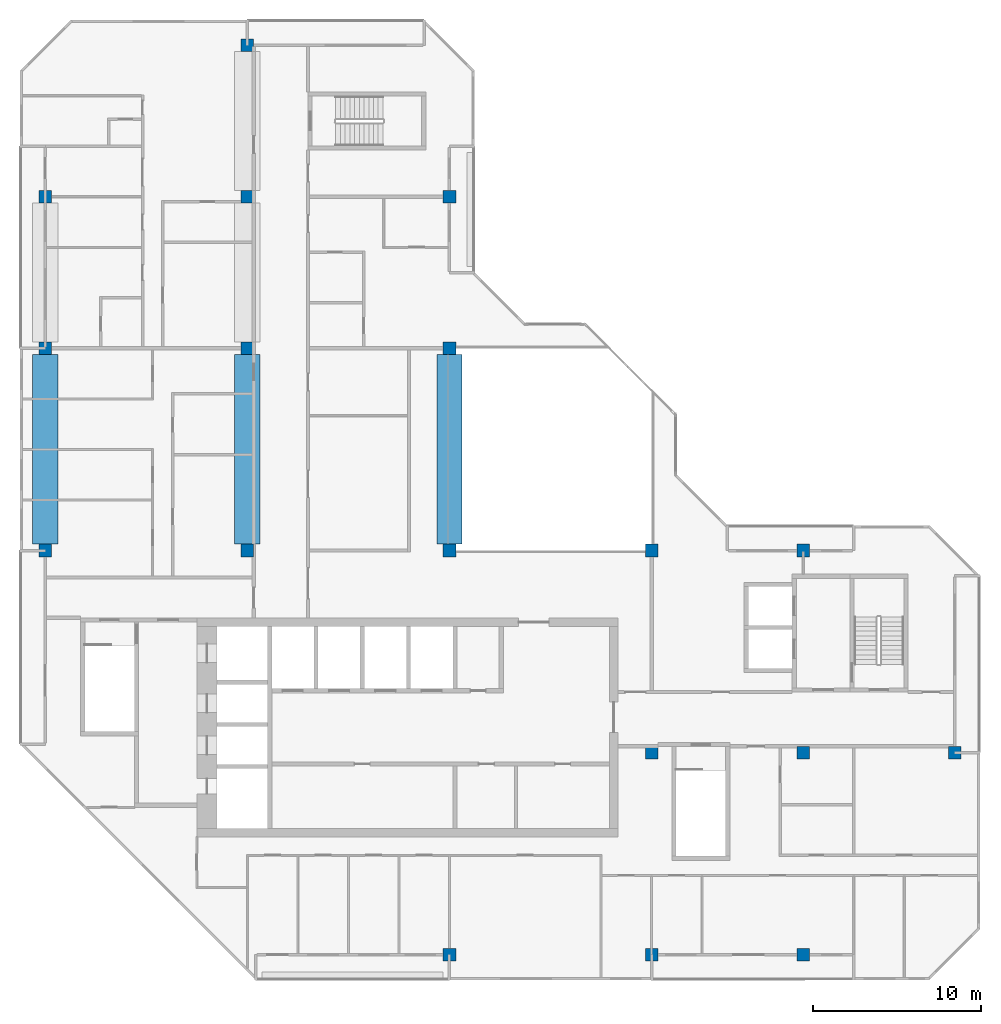
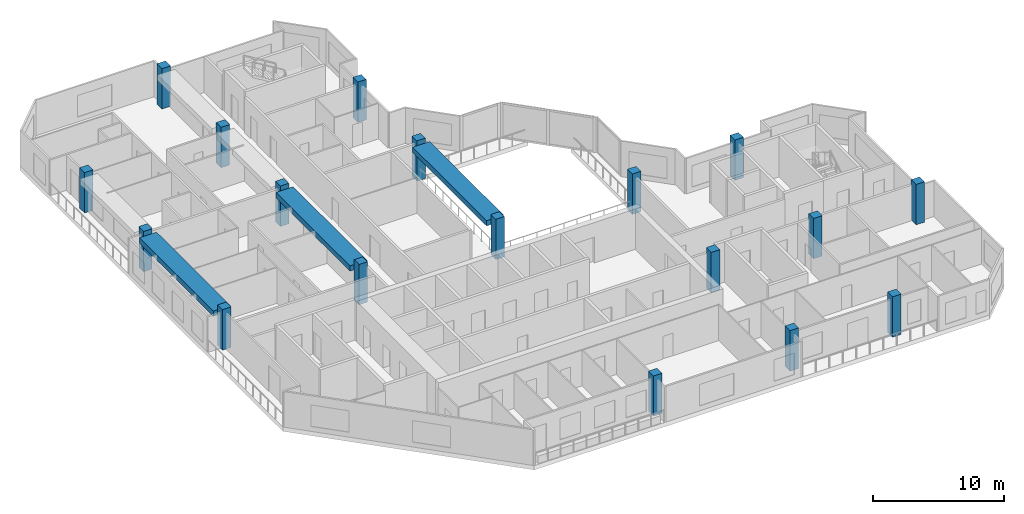
# One storey, part 1 of 11: 18 columns, 3 beams.
"""IFC4 building model written with IfcOpenShell, lengths in metres."""

from ifc_helpers import new_model, si_unit, direction, frame, origin, origin_2d, place, context, subcontext, project, spatial, rectangle, extrude, material, material_profile, profile_set, type_object, element, save


model = new_model("IFC4")

# Units and contexts
model_context = context("Model", 3, precision=1e-05, world=origin(), true_north=direction((0.0, 1.0)))
body_context = subcontext(model_context, "Body", "Model", "MODEL_VIEW")
ifc_project = project(units=[si_unit("LENGTHUNIT", "METRE"), si_unit("AREAUNIT", "SQUARE_METRE"), si_unit("VOLUMEUNIT", "CUBIC_METRE"), si_unit("PLANEANGLEUNIT", "RADIAN"), si_unit("MASSUNIT", "GRAM", prefix="KILO")], contexts=[model_context])

# Site, building, storey
site_placement = place(None, origin())
site = spatial("IfcSite", under=ifc_project, at=site_placement, CompositionType="ELEMENT")
building_placement = place(site_placement, origin())
building = spatial("IfcBuilding", under=site, at=building_placement, Name="Chenar Terraces", CompositionType="ELEMENT")
storey_placement = place(building_placement, frame((0.0, 0.0, 380.14990234375)))
storey = spatial("IfcBuildingStorey", under=building, at=storey_placement, Name="L89", CompositionType="ELEMENT", Elevation=380.14990234375)

# Columns
ifc_material_1 = material(Name="Concrete C50/60", Category="concrete")
ifc_material_profile_1 = material_profile(ifc_material_1, rectangle(XDim=0.75, YDim=0.75, at=origin_2d()), Name="C 750 x 750")
ifc_profile_set_1 = profile_set([ifc_material_profile_1], Name="Concrete C50/60")
column_type = type_object("IfcColumnType", Name="Column C 750 x 750 Concrete C50/60", PredefinedType="COLUMN", material=ifc_profile_set_1)
column_1_placement = place(storey_placement, frame((0.0, 24.0, 0.0), z_axis=(0.0, 0.0, 1.0), x_axis=(1.0, 0.0, 0.0)))
element("IfcColumn", 1, at=column_1_placement, inside=storey, type_object=column_type, Name="Column 5/G L89", PredefinedType="COLUMN", context=body_context, shape_type="SweptSolid", body=[
    extrude(rectangle(XDim=0.75, YDim=0.75, at=origin_2d()), origin(), (0.0, 0.0, 1.0), 3.75),
])
column_2_placement = place(storey_placement, frame((0.0, 36.0, 0.0), z_axis=(0.0, 0.0, 1.0), x_axis=(1.0, 0.0, 0.0)))
element("IfcColumn", 2, at=column_2_placement, inside=storey, type_object=column_type, Name="Column 5/H L89", PredefinedType="COLUMN", context=body_context, shape_type="SweptSolid", body=[
    extrude(rectangle(XDim=0.75, YDim=0.75, at=origin_2d()), origin(), (0.0, 0.0, 1.0), 3.75),
])
for number, where, z_axis, x_axis, name in (
    (3, (0.0, 45.0, 0.0), (0.0, 0.0, 1.0), (1.0, 0.0, 0.0), "Column 5/J L89"),
    (4, (12.0, 24.0, 0.0), (0.0, 0.0, 1.0), (1.0, 0.0, 0.0), "Column 6/G L89"),
    (5, (12.0, 36.0, 0.0), (0.0, 0.0, 1.0), (1.0, 0.0, 0.0), "Column 6/H L89"),
    (6, (12.0, 45.0, 0.0), (0.0, 0.0, 1.0), (1.0, 0.0, 0.0), "Column 6/J L89"),
    (7, (12.0, 54.0, 0.0), (0.0, 0.0, 1.0), (1.0, 0.0, 0.0), "Column 6/K L89"),
    (8, (24.0, 0.0, 0.0), (0.0, 0.0, 1.0), (1.0, 0.0, 0.0), "Column 7/E L89"),
    (9, (24.0, 24.0, 0.0), (0.0, 0.0, 1.0), (1.0, 0.0, 0.0), "Column 7/G L89"),
    (10, (24.0, 36.0, 0.0), (0.0, 0.0, 1.0), (1.0, 0.0, 0.0), "Column 7/H L89"),
    (11, (24.0, 45.0, 0.0), (0.0, 0.0, 1.0), (1.0, 0.0, 0.0), "Column 7/J L89"),
    (12, (36.0, 0.0, 0.0), (0.0, 0.0, 1.0), (1.0, 0.0, 0.0), "Column 8/E L89"),
    (13, (36.0, 12.0, 0.0), (0.0, 0.0, 1.0), (1.0, 0.0, 0.0), "Column 8/F L89"),
    (14, (36.0, 24.0, 0.0), (0.0, 0.0, 1.0), (1.0, 0.0, 0.0), "Column 8/G L89"),
    (15, (45.0, 0.0, 0.0), (0.0, 0.0, 1.0), (1.0, 0.0, 0.0), "Column 9/E L89"),
    (16, (45.0, 12.0, 0.0), (0.0, 0.0, 1.0), (1.0, 0.0, 0.0), "Column 9/F L89"),
    (17, (45.0, 24.0, 0.0), (0.0, 0.0, 1.0), (1.0, 0.0, 0.0), "Column 9/G L89"),
    (18, (54.0, 12.0, 0.0), (0.0, 0.0, 1.0), (1.0, 0.0, 0.0), "Column 10/F L89"),
):
    element("IfcColumn", number, at=place(storey_placement, frame(where, z_axis=z_axis, x_axis=x_axis)), inside=storey, type_object=column_type, Name=name, PredefinedType="COLUMN", context=body_context, shape_type="SweptSolid", body=[
        extrude(rectangle(XDim=0.75, YDim=0.75, at=origin_2d()), origin(), (0.0, 0.0, 1.0), 3.75),
    ])

# Beams
ifc_material_2 = material(Name="Concrete C40/50", Category="concrete")
ifc_material_profile_2 = material_profile(ifc_material_2, rectangle(XDim=1.5, YDim=0.5, at=origin_2d()), Name="RC 1500 x 500")
ifc_profile_set_2 = profile_set([ifc_material_profile_2], Name="Concrete C40/50")
beam_type = type_object("IfcBeamType", Name="Roof band girder 1500 x 500 Concrete C40/50", PredefinedType="BEAM", material=ifc_profile_set_2)
for number, where, z_axis, x_axis, name in (
    (19, (0.0, 24.375, 3.050048828125), (0.0, 1.0, 0.0), (-1.0, 0.0, 0.0), "Roof band girder"),
    (20, (12.0, 24.375, 3.050048828125), (0.0, 1.0, 0.0), (-1.0, 0.0, 0.0), "Roof band girder"),
    (21, (24.0, 24.375, 3.050048828125), (0.0, 1.0, 0.0), (-1.0, 0.0, 0.0), "Roof band girder"),
):
    element("IfcBeam", number, at=place(storey_placement, frame(where, z_axis=z_axis, x_axis=x_axis)), inside=storey, type_object=beam_type, Name=name, PredefinedType="BEAM", context=body_context, shape_type="SweptSolid", body=[
        extrude(rectangle(XDim=1.5, YDim=0.5, at=origin_2d()), origin(), (0.0, 0.0, 1.0), 11.25),
    ])

save(model, "model.ifc")
